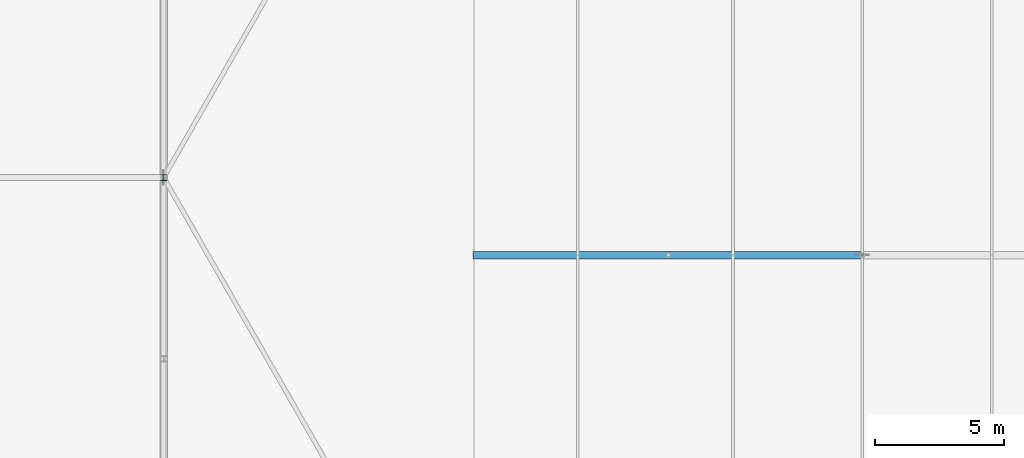
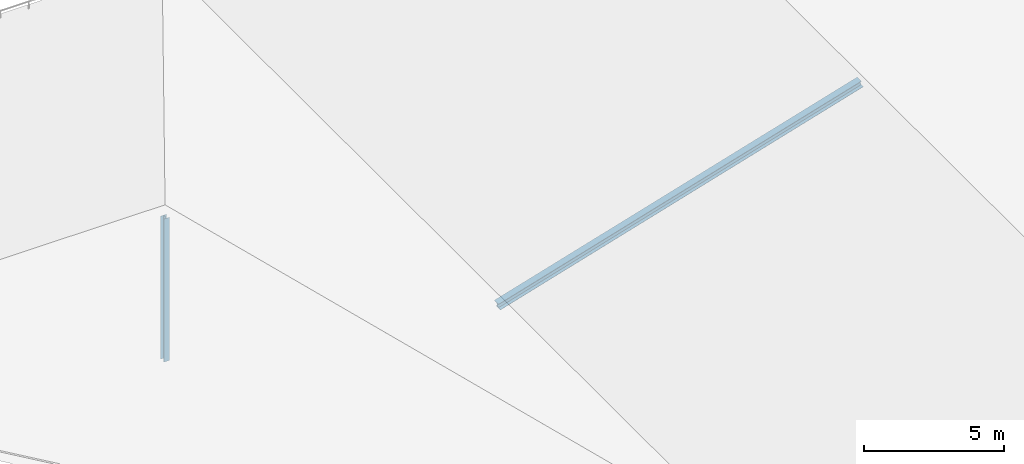
# One storey, part 15 of 204: 2 members.
"""IFC4 building model written with IfcOpenShell, lengths in metres."""

from ifc_helpers import new_model, si_unit, direction, frame, origin, origin_2d, place, context, subcontext, project, spatial, i_section, extrude, material, material_profile, profile_set, type_object, element, save


model = new_model("IFC4")

# Units and contexts
model_context = context("Model", 3, precision=1e-05, world=origin(), true_north=direction((0.0, 1.0)))
body_context = subcontext(model_context, "Body", "Model", "MODEL_VIEW")
ifc_project = project(units=[si_unit("LENGTHUNIT", "METRE"), si_unit("AREAUNIT", "SQUARE_METRE"), si_unit("VOLUMEUNIT", "CUBIC_METRE"), si_unit("PLANEANGLEUNIT", "RADIAN"), si_unit("MASSUNIT", "GRAM", prefix="KILO")], contexts=[model_context])

# Site, building, storey
site_placement = place(None, origin())
site = spatial("IfcSite", under=ifc_project, at=site_placement, CompositionType="ELEMENT")
building_placement = place(site_placement, origin())
building = spatial("IfcBuilding", under=site, at=building_placement, Name="Zilviju Railside Exhibition Hall", CompositionType="ELEMENT")
storey_placement = place(building_placement, frame((0.0, 0.0, 21.0)))
storey = spatial("IfcBuildingStorey", under=building, at=storey_placement, Name="RF", CompositionType="ELEMENT", Elevation=21.0)

# Members
ifc_material = material(Name="Steel S355J2", Category="steel")
ifc_material_profile_1 = material_profile(ifc_material, i_section(OverallWidth=0.239990234375, OverallDepth=0.22998046875, WebThickness=0.007568359375, FlangeThickness=0.011962890625, at=origin_2d()), Name="HEA 240")
ifc_profile_set_1 = profile_set([ifc_material_profile_1], Name="Steel S355J2")
member_type_1 = type_object("IfcMemberType", Name="TR-POST-HEA240", PredefinedType="POST", material=ifc_profile_set_1)
member_1_placement = place(storey_placement, frame((36.0, 57.0, -8.39990234375), z_axis=(0.0, 0.0, 1.0), x_axis=(1.0, 0.0, 0.0)))
element("IfcMember", 1, at=member_1_placement, inside=storey, type_object=member_type_1, Name="Congress Truss Web Post X=36.0", PredefinedType="POST", context=body_context, shape_type="SweptSolid", body=[
    extrude(i_section(OverallWidth=0.239990234375, OverallDepth=0.22998046875, WebThickness=0.007568359375, FlangeThickness=0.011962890625, at=origin_2d()), origin(), (0.0, 0.0, 1.0), 6.25),
])
ifc_material_profile_2 = material_profile(ifc_material, i_section(OverallWidth=0.300048828125, OverallDepth=0.2900390625, WebThickness=0.008544921875, FlangeThickness=0.013916015625, at=origin_2d()), Name="HEA 300")
ifc_profile_set_2 = profile_set([ifc_material_profile_2], Name="Steel S355J2")
member_type_2 = type_object("IfcMemberType", Name="TR-RAF-HEA300", PredefinedType="RAFTER", material=ifc_profile_set_2)
member_2_placement = place(storey_placement, frame((48.0, 54.0, -8.39990234375), z_axis=(0.957826285221, 0.0, 0.287347885566), x_axis=(0.0, 1.0, 0.0)))
element("IfcMember", 2, at=member_2_placement, inside=storey, type_object=member_type_2, Name="Concourse Saddle West Rafter Y=54.0", PredefinedType="RAFTER", context=body_context, shape_type="SweptSolid", body=[
    extrude(i_section(OverallWidth=0.300048828125, OverallDepth=0.2900390625, WebThickness=0.008544921875, FlangeThickness=0.013916015625, at=origin_2d()), origin(), (0.0, 0.0, 1.0), 15.660400390625),
])

save(model, "model.ifc")
